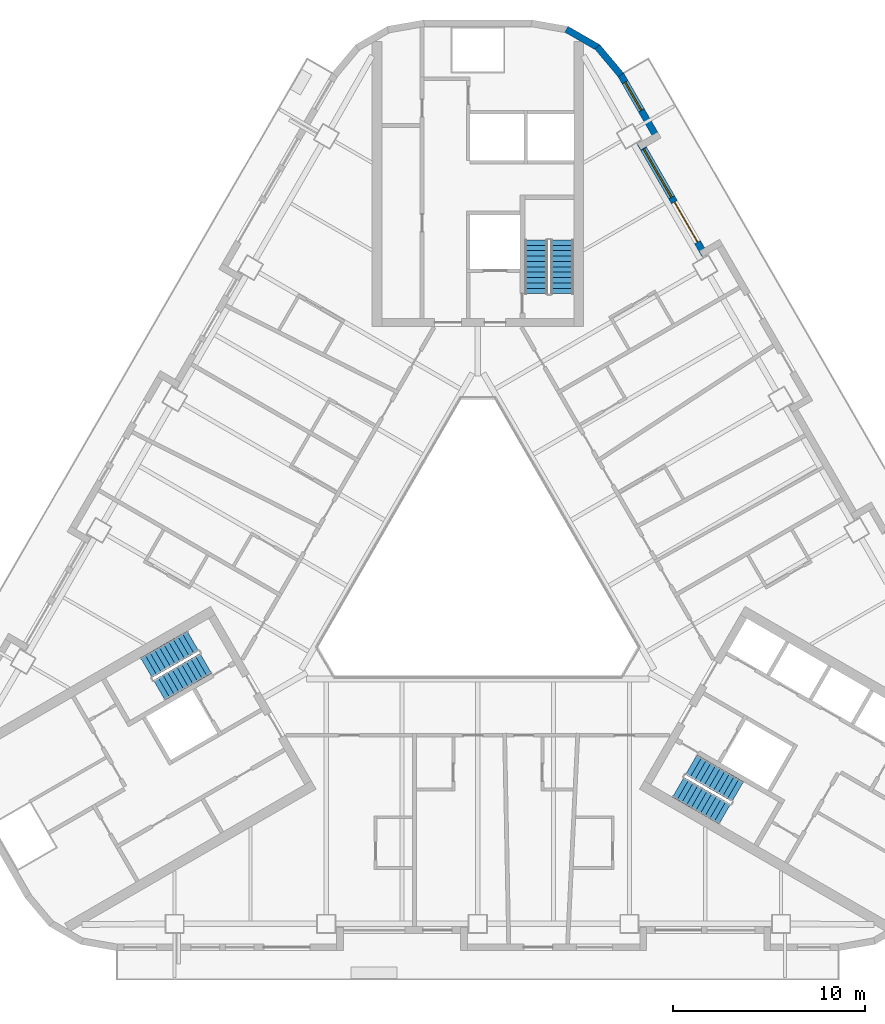
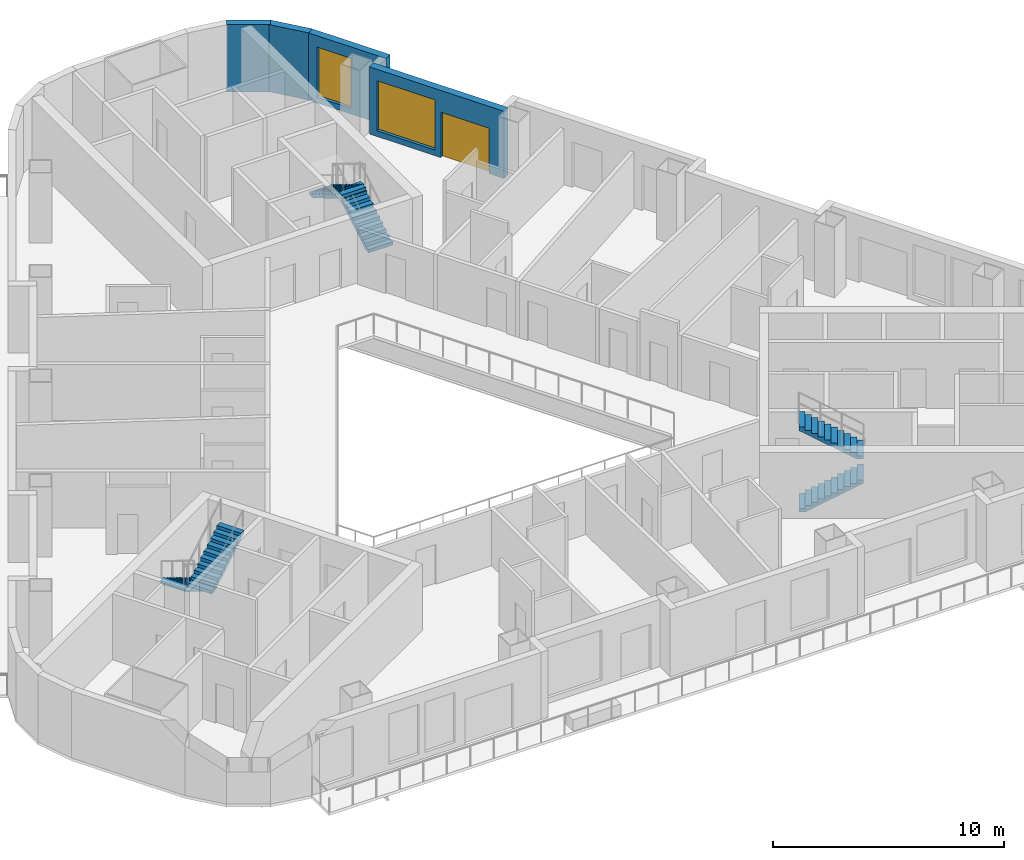
# One storey, part 8 of 14: 6 stair flights, 4 walls, 2 windows, 1 door, 3 openings, 3 elements without a shape of their own.
"""IFC4 building model written with IfcOpenShell, lengths in metres."""

from ifc_helpers import new_model, si_unit, direction, frame, frame_2d, origin, place, context, subcontext, project, spatial, polyline, rectangle, outline, extrude, material, layer, layer_set, type_object, element, fill, aggregate, save


model = new_model("IFC4")

# Units and contexts
model_context = context("Model", 3, precision=1e-05, world=origin(), true_north=direction((0.0, 1.0)))
body_context = subcontext(model_context, "Body", "Model", "MODEL_VIEW")
ifc_project = project(units=[si_unit("LENGTHUNIT", "METRE"), si_unit("AREAUNIT", "SQUARE_METRE"), si_unit("VOLUMEUNIT", "CUBIC_METRE"), si_unit("PLANEANGLEUNIT", "RADIAN"), si_unit("MASSUNIT", "GRAM", prefix="KILO")], contexts=[model_context])

# Site, building, storey
site_placement = place(None, origin())
site = spatial("IfcSite", under=ifc_project, at=site_placement, CompositionType="ELEMENT")
building_placement = place(site_placement, origin())
building = spatial("IfcBuilding", under=site, at=building_placement, Name="Apuvela Tower Hotel", CompositionType="ELEMENT")
storey_placement = place(building_placement, frame((0.0, 0.0, 50.199951171875)))
storey = spatial("IfcBuildingStorey", under=building, at=storey_placement, Name="L09", CompositionType="ELEMENT", Elevation=50.199951171875)

# Wall, openings, door, window
ifc_material_1 = material(Name="Concrete C40/50, dark pigmented precast panel", Category="concrete")
ifc_layer = layer(ifc_material_1, 0.35009765625)
ifc_layer_set = layer_set([ifc_layer], Name="ENV-WALL-350")
wall_type = type_object("IfcWallType", Name="ENV-WALL-350", PredefinedType="SOLIDWALL", material=ifc_layer_set)
wall_1_placement = place(storey_placement, frame((11.8291015625, 16.621337890625, 0.0), z_axis=(0.0, 0.0, 1.0), x_axis=(-0.500003597184, 0.866023326939, 0.0)))
wall_1 = element("IfcWall", 1, at=wall_1_placement, inside=storey, type_object=wall_type, Name="External wall L09-39", PredefinedType="SOLIDWALL", context=body_context, shape_type="SweptSolid", body=[
    extrude(rectangle(XDim=6.740234375, YDim=0.35009765625, at=frame_2d((3.3701171875, 0.0))), origin(), (0.0, 0.0, 1.0), 3.550048828125),
])
opening_1_placement = place(wall_1_placement, frame((0.77001953125, 0.0, 0.0)))
opening_1 = element("IfcOpeningElement", 2, at=opening_1_placement, cuts=wall_1, Name="Opening BD24", PredefinedType="OPENING", context=body_context, shape_type="SweptSolid", body=[
    extrude(rectangle(XDim=2.39990234375, YDim=2.39990234375, at=frame_2d((1.199951171875, 1.199951171875))), frame((0.0, 0.18505859375, 0.0), z_axis=(0.0, -1.0, 0.0), x_axis=(1.0, 0.0, 0.0)), (0.0, 0.0, 1.0), 0.3701171875),
])
opening_2_placement = place(wall_1_placement, frame((3.469970703125, 0.0, 0.300048828125)))
opening_2 = element("IfcOpeningElement", 3, at=opening_2_placement, cuts=wall_1, Name="Opening WN29", PredefinedType="OPENING", context=body_context, shape_type="SweptSolid", body=[
    extrude(rectangle(XDim=2.89990234375, YDim=2.64990234375, at=frame_2d((1.449951171875, 1.324951171875))), frame((0.0, 0.18505859375, 0.0), z_axis=(0.0, -1.0, 0.0), x_axis=(1.0, 0.0, 0.0)), (0.0, 0.0, 1.0), 0.3701171875),
])
ifc_material_2 = material(Name="Aluminium 6063-T6, dark bronze anodised frame with dark tinted laminated glass", Category="aluminium")
door_type = type_object("IfcDoorType", Name="ENV-DOOR-BALCONY-2400x2400", OperationType="SLIDING_TO_LEFT", PredefinedType="DOOR", material=ifc_material_2)
door_placement = place(opening_1_placement, frame((2.39990234375, 0.0, 0.0), z_axis=(0.0, 0.0, 1.0), x_axis=(-1.0, 0.0, 0.0)))
door = element("IfcDoor", 4, at=door_placement, inside=storey, type_object=door_type, Name="Balcony door BD24", OperationType="SLIDING_TO_LEFT", OverallHeight=2.39990234375, OverallWidth=2.39990234375, PredefinedType="DOOR", context=body_context, shape_type="SweptSolid", body=[
    extrude(rectangle(XDim=2.39990234375, YDim=2.39990234375, at=frame_2d((1.199951171875, 1.199951171875))), frame((0.0, 0.02490234375, 0.0), z_axis=(0.0, -1.0, 0.0), x_axis=(1.0, 0.0, 0.0)), (0.0, 0.0, 1.0), 0.050048828125),
])
fill(opening_1, door)
ifc_material_3 = material(Name="Glass, dark tinted laminated insulated glazing unit", Category="glass")
window_type_1 = type_object("IfcWindowType", Name="ENV-WIN-2900x2650", PartitioningType="SINGLE_PANEL", PredefinedType="WINDOW", material=ifc_material_3)
window_1_placement = place(opening_2_placement, origin())
window_1 = element("IfcWindow", 5, at=window_1_placement, inside=storey, type_object=window_type_1, Name="Window WN29", OverallHeight=2.64990234375, OverallWidth=2.89990234375, PartitioningType="SINGLE_PANEL", PredefinedType="WINDOW", context=body_context, shape_type="SweptSolid", body=[
    extrude(rectangle(XDim=2.89990234375, YDim=2.64990234375, at=frame_2d((1.449951171875, 1.324951171875))), frame((0.0, 0.030029296875, 0.0), z_axis=(0.0, -1.0, 0.0), x_axis=(1.0, 0.0, 0.0)), (0.0, 0.0, 1.0), 0.06005859375),
])
fill(opening_2, window_1)

# Wall, opening, window
wall_2_placement = place(storey_placement, frame((9.3984375, 22.631103515625, 0.0), z_axis=(0.0, 0.0, 1.0), x_axis=(-0.499954521343, 0.866051659307, 0.0)))
wall_2 = element("IfcWall", 6, at=wall_2_placement, inside=storey, type_object=wall_type, Name="External wall L09-41", PredefinedType="SOLIDWALL", context=body_context, shape_type="SweptSolid", body=[
    extrude(rectangle(XDim=3.915771484375, YDim=0.35009765625, at=frame_2d((1.9580078125, 0.0))), origin(), (0.0, 0.0, 1.0), 3.550048828125),
])
opening_3_placement = place(wall_2_placement, frame((1.749755859375, 0.0, 0.300048828125)))
opening_3 = element("IfcOpeningElement", 7, at=opening_3_placement, cuts=wall_2, Name="Opening WN17", PredefinedType="OPENING", context=body_context, shape_type="SweptSolid", body=[
    extrude(rectangle(XDim=1.699951171875, YDim=2.64990234375, at=frame_2d((0.85009765625, 1.324951171875))), frame((0.0, 0.18505859375, 0.0), z_axis=(0.0, -1.0, 0.0), x_axis=(1.0, 0.0, 0.0)), (0.0, 0.0, 1.0), 0.3701171875),
])
window_type_2 = type_object("IfcWindowType", Name="ENV-WIN-1700x2650", PartitioningType="SINGLE_PANEL", PredefinedType="WINDOW", material=ifc_material_3)
window_2_placement = place(opening_3_placement, origin())
window_2 = element("IfcWindow", 8, at=window_2_placement, inside=storey, type_object=window_type_2, Name="Window WN17", OverallHeight=2.64990234375, OverallWidth=1.699951171875, PartitioningType="SINGLE_PANEL", PredefinedType="WINDOW", context=body_context, shape_type="SweptSolid", body=[
    extrude(rectangle(XDim=1.699951171875, YDim=2.64990234375, at=frame_2d((0.85009765625, 1.324951171875))), frame((0.0, 0.030029296875, 0.0), z_axis=(0.0, -1.0, 0.0), x_axis=(1.0, 0.0, 0.0)), (0.0, 0.0, 1.0), 0.06005859375),
])
fill(opening_3, window_2)

# Walls
wall_3_placement = place(storey_placement, frame((7.4580078125, 25.99755859375, 0.0), z_axis=(0.0, 0.0, 1.0), x_axis=(-0.642808304945, 0.766027077259, 0.0)))
element("IfcWall", 9, at=wall_3_placement, inside=storey, type_object=wall_type, Name="External wall L09-42", PredefinedType="SOLIDWALL", context=body_context, shape_type="SweptSolid", body=[
    extrude(rectangle(XDim=1.909912109375, YDim=0.35009765625, at=frame_2d((0.955078125, 0.0))), origin(), (0.0, 0.0, 1.0), 3.550048828125),
])
wall_4_placement = place(storey_placement, frame((6.27685546875, 27.421630859375, 0.0), z_axis=(0.0, 0.0, 1.0), x_axis=(-0.866032345022, 0.499987977232, 0.0)))
element("IfcWall", 10, at=wall_4_placement, inside=storey, type_object=wall_type, Name="External wall L09-43", PredefinedType="SOLIDWALL", context=body_context, shape_type="SweptSolid", body=[
    extrude(rectangle(XDim=1.91015625, YDim=0.35009765625, at=frame_2d((0.955078125, 0.0))), origin(), (0.0, 0.0, 1.0), 3.550048828125),
])

# Stair, stair flights
ifc_material_4 = material(Name="Concrete C50/60", Category="concrete")
stair_type = type_object("IfcStairType", Name="COR-STAIR-22R", PredefinedType="HALF_TURN_STAIR", material=ifc_material_4)
stair_1_placement = place(storey_placement, origin())
stair_1 = element("IfcStair", 11, at=stair_1_placement, inside=storey, type_object=stair_type, Name="L09 Exit stair ST1", PredefinedType="HALF_TURN_STAIR")
stair_flight_type = type_object("IfcStairFlightType", Name="COR-FLIGHT-11R", PredefinedType="STRAIGHT", material=ifc_material_4)
stair_flight_1_placement = place(storey_placement, frame((4.39990234375, 14.60009765625, 0.0), z_axis=(0.0, 0.0, 1.0), x_axis=(0.0, 1.0, 0.0)))
stair_flight_1 = element("IfcStairFlight", 12, at=stair_flight_1_placement, type_object=stair_flight_type, Name="ST1 flight 1", NumberOfRisers=11, NumberOfTreads=10, PredefinedType="STRAIGHT", RiserHeight=0.168181818, TreadLength=0.28, context=body_context, shape_type="SweptSolid", body=[
    extrude(outline(polyline([(0.0, 0.0), (0.0, 0.168212890625), (0.280029296875, 0.168212890625), (0.280029296875, 0.33642578125), (0.56005859375, 0.33642578125), (0.56005859375, 0.504638671875), (0.840087890625, 0.504638671875), (0.840087890625, 0.672607421875), (1.1201171875, 0.672607421875), (1.1201171875, 0.8408203125), (1.39990234375, 0.8408203125), (1.39990234375, 1.009033203125), (1.679931640625, 1.009033203125), (1.679931640625, 1.17724609375), (1.9599609375, 1.17724609375), (1.9599609375, 1.345458984375), (2.239990234375, 1.345458984375), (2.239990234375, 1.513671875), (2.52001953125, 1.513671875), (2.52001953125, 1.681884765625), (2.800048828125, 1.681884765625), (2.800048828125, 1.85009765625), (2.800048828125, 1.5068359375), (0.291015625, 0.0), (0.0, 0.0)])), frame((0.0, 0.60009765625, 0.0), z_axis=(0.0, -1.0, 0.0), x_axis=(1.0, 0.0, 0.0)), (0.0, 0.0, 1.0), 1.199951171875),
])
stair_flight_2_placement = place(storey_placement, frame((3.050048828125, 17.39990234375, 1.85009765625), z_axis=(0.0, 0.0, 1.0), x_axis=(0.0, -1.0, 0.0)))
stair_flight_2 = element("IfcStairFlight", 13, at=stair_flight_2_placement, type_object=stair_flight_type, Name="ST1 flight 2", NumberOfRisers=11, NumberOfTreads=10, PredefinedType="STRAIGHT", RiserHeight=0.168181818, TreadLength=0.28, context=body_context, shape_type="SweptSolid", body=[
    extrude(outline(polyline([(0.0, 0.0), (0.0, 0.168212890625), (0.280029296875, 0.168212890625), (0.280029296875, 0.33642578125), (0.56005859375, 0.33642578125), (0.56005859375, 0.504638671875), (0.840087890625, 0.504638671875), (0.840087890625, 0.672607421875), (1.1201171875, 0.672607421875), (1.1201171875, 0.8408203125), (1.39990234375, 0.8408203125), (1.39990234375, 1.009033203125), (1.679931640625, 1.009033203125), (1.679931640625, 1.17724609375), (1.9599609375, 1.17724609375), (1.9599609375, 1.345458984375), (2.239990234375, 1.345458984375), (2.239990234375, 1.513671875), (2.52001953125, 1.513671875), (2.52001953125, 1.681884765625), (2.800048828125, 1.681884765625), (2.800048828125, 1.85009765625), (2.800048828125, 1.5068359375), (0.291015625, 0.0), (0.0, 0.0)])), frame((0.0, 0.60009765625, 0.0), z_axis=(0.0, -1.0, 0.0), x_axis=(1.0, 0.0, 0.0)), (0.0, 0.0, 1.0), 1.199951171875),
])
aggregate(stair_1, [stair_flight_1, stair_flight_2])

stair_2_placement = place(storey_placement, origin())
stair_2 = element("IfcStair", 14, at=stair_2_placement, inside=storey, type_object=stair_type, Name="L09 Exit stair ST2", PredefinedType="HALF_TURN_STAIR")
stair_flight_3_placement = place(storey_placement, frame((-14.843994140625, -3.489501953125, 0.0), z_axis=(0.0, 0.0, 1.0), x_axis=(-0.866025403784, -0.5, 0.0)))
stair_flight_3 = element("IfcStairFlight", 15, at=stair_flight_3_placement, type_object=stair_flight_type, Name="ST2 flight 1", NumberOfRisers=11, NumberOfTreads=10, PredefinedType="STRAIGHT", RiserHeight=0.168181818, TreadLength=0.28, context=body_context, shape_type="SweptSolid", body=[
    extrude(outline(polyline([(0.0, 0.0), (0.0, 0.168212890625), (0.280029296875, 0.168212890625), (0.280029296875, 0.33642578125), (0.56005859375, 0.33642578125), (0.56005859375, 0.504638671875), (0.840087890625, 0.504638671875), (0.840087890625, 0.672607421875), (1.1201171875, 0.672607421875), (1.1201171875, 0.8408203125), (1.39990234375, 0.8408203125), (1.39990234375, 1.009033203125), (1.679931640625, 1.009033203125), (1.679931640625, 1.17724609375), (1.9599609375, 1.17724609375), (1.9599609375, 1.345458984375), (2.239990234375, 1.345458984375), (2.239990234375, 1.513671875), (2.52001953125, 1.513671875), (2.52001953125, 1.681884765625), (2.800048828125, 1.681884765625), (2.800048828125, 1.85009765625), (2.800048828125, 1.5068359375), (0.291015625, 0.0), (0.0, 0.0)])), frame((0.0, 0.60009765625, 0.0), z_axis=(0.0, -1.0, 0.0), x_axis=(1.0, 0.0, 0.0)), (0.0, 0.0, 1.0), 1.199951171875),
])
stair_flight_4_placement = place(storey_placement, frame((-16.59375, -6.05859375, 1.85009765625), z_axis=(0.0, 0.0, 1.0), x_axis=(0.866025403784, 0.5, 0.0)))
stair_flight_4 = element("IfcStairFlight", 16, at=stair_flight_4_placement, type_object=stair_flight_type, Name="ST2 flight 2", NumberOfRisers=11, NumberOfTreads=10, PredefinedType="STRAIGHT", RiserHeight=0.168181818, TreadLength=0.28, context=body_context, shape_type="SweptSolid", body=[
    extrude(outline(polyline([(0.0, 0.0), (0.0, 0.168212890625), (0.280029296875, 0.168212890625), (0.280029296875, 0.33642578125), (0.56005859375, 0.33642578125), (0.56005859375, 0.504638671875), (0.840087890625, 0.504638671875), (0.840087890625, 0.672607421875), (1.1201171875, 0.672607421875), (1.1201171875, 0.8408203125), (1.39990234375, 0.8408203125), (1.39990234375, 1.009033203125), (1.679931640625, 1.009033203125), (1.679931640625, 1.17724609375), (1.9599609375, 1.17724609375), (1.9599609375, 1.345458984375), (2.239990234375, 1.345458984375), (2.239990234375, 1.513671875), (2.52001953125, 1.513671875), (2.52001953125, 1.681884765625), (2.800048828125, 1.681884765625), (2.800048828125, 1.85009765625), (2.800048828125, 1.5068359375), (0.291015625, 0.0), (0.0, 0.0)])), frame((0.0, 0.60009765625, 0.0), z_axis=(0.0, -1.0, 0.0), x_axis=(1.0, 0.0, 0.0)), (0.0, 0.0, 1.0), 1.199951171875),
])
aggregate(stair_2, [stair_flight_3, stair_flight_4])

stair_3_placement = place(storey_placement, origin())
stair_3 = element("IfcStair", 17, at=stair_3_placement, inside=storey, type_object=stair_type, Name="L09 Exit stair ST3", PredefinedType="HALF_TURN_STAIR")
stair_flight_5_placement = place(storey_placement, frame((10.444091796875, -11.110595703125, 0.0), z_axis=(0.0, 0.0, 1.0), x_axis=(0.866025403784, -0.5, 0.0)))
stair_flight_5 = element("IfcStairFlight", 18, at=stair_flight_5_placement, type_object=stair_flight_type, Name="ST3 flight 1", NumberOfRisers=11, NumberOfTreads=10, PredefinedType="STRAIGHT", RiserHeight=0.168181818, TreadLength=0.28, context=body_context, shape_type="SweptSolid", body=[
    extrude(outline(polyline([(0.0, 0.0), (0.0, 0.168212890625), (0.280029296875, 0.168212890625), (0.280029296875, 0.33642578125), (0.56005859375, 0.33642578125), (0.56005859375, 0.504638671875), (0.840087890625, 0.504638671875), (0.840087890625, 0.672607421875), (1.1201171875, 0.672607421875), (1.1201171875, 0.8408203125), (1.39990234375, 0.8408203125), (1.39990234375, 1.009033203125), (1.679931640625, 1.009033203125), (1.679931640625, 1.17724609375), (1.9599609375, 1.17724609375), (1.9599609375, 1.345458984375), (2.239990234375, 1.345458984375), (2.239990234375, 1.513671875), (2.52001953125, 1.513671875), (2.52001953125, 1.681884765625), (2.800048828125, 1.681884765625), (2.800048828125, 1.85009765625), (2.800048828125, 1.5068359375), (0.291015625, 0.0), (0.0, 0.0)])), frame((0.0, 0.60009765625, 0.0), z_axis=(0.0, -1.0, 0.0), x_axis=(1.0, 0.0, 0.0)), (0.0, 0.0, 1.0), 1.199951171875),
])
stair_flight_6_placement = place(storey_placement, frame((13.5439453125, -11.34130859375, 1.85009765625), z_axis=(0.0, 0.0, 1.0), x_axis=(-0.866025403784, 0.5, 0.0)))
stair_flight_6 = element("IfcStairFlight", 19, at=stair_flight_6_placement, type_object=stair_flight_type, Name="ST3 flight 2", NumberOfRisers=11, NumberOfTreads=10, PredefinedType="STRAIGHT", RiserHeight=0.168181818, TreadLength=0.28, context=body_context, shape_type="SweptSolid", body=[
    extrude(outline(polyline([(0.0, 0.0), (0.0, 0.168212890625), (0.280029296875, 0.168212890625), (0.280029296875, 0.33642578125), (0.56005859375, 0.33642578125), (0.56005859375, 0.504638671875), (0.840087890625, 0.504638671875), (0.840087890625, 0.672607421875), (1.1201171875, 0.672607421875), (1.1201171875, 0.8408203125), (1.39990234375, 0.8408203125), (1.39990234375, 1.009033203125), (1.679931640625, 1.009033203125), (1.679931640625, 1.17724609375), (1.9599609375, 1.17724609375), (1.9599609375, 1.345458984375), (2.239990234375, 1.345458984375), (2.239990234375, 1.513671875), (2.52001953125, 1.513671875), (2.52001953125, 1.681884765625), (2.800048828125, 1.681884765625), (2.800048828125, 1.85009765625), (2.800048828125, 1.5068359375), (0.291015625, 0.0), (0.0, 0.0)])), frame((0.0, 0.60009765625, 0.0), z_axis=(0.0, -1.0, 0.0), x_axis=(1.0, 0.0, 0.0)), (0.0, 0.0, 1.0), 1.199951171875),
])
aggregate(stair_3, [stair_flight_5, stair_flight_6])

save(model, "model.ifc")
